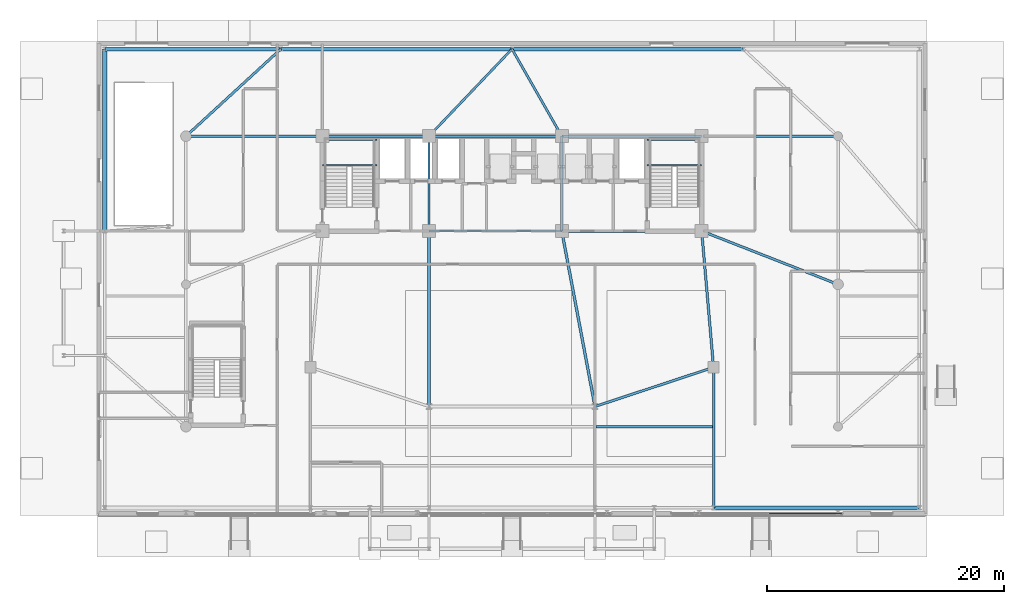
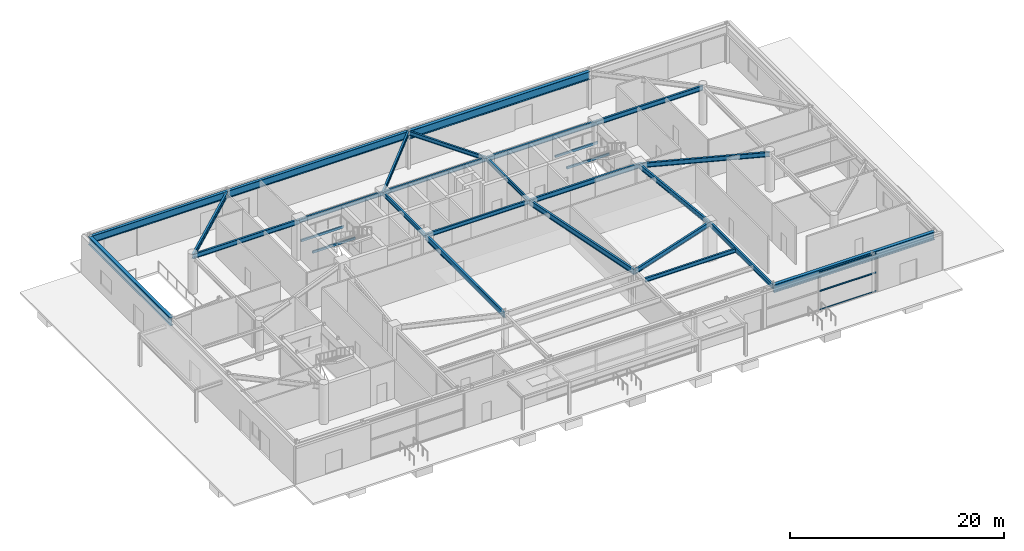
# One storey, part 16 of 29: 28 beams, 4 members, 2 elements without a shape of their own.
"""IFC4 building model written with IfcOpenShell, lengths in metres."""

from ifc_helpers import new_model, si_unit, direction, frame, origin, origin_2d, place, context, subcontext, project, spatial, hollow_rectangle, i_section, extrude, source, transform, mapped, material, layer, layer_set, material_profile, profile_set, type_object, element, aggregate, save


model = new_model("IFC4")

# Units and contexts
model_context = context("Model", 3, precision=1e-05, world=origin(), true_north=direction((0.0, 1.0)))
body_context = subcontext(model_context, "Body", "Model", "MODEL_VIEW")
ifc_project = project(units=[si_unit("LENGTHUNIT", "METRE"), si_unit("AREAUNIT", "SQUARE_METRE"), si_unit("VOLUMEUNIT", "CUBIC_METRE"), si_unit("PLANEANGLEUNIT", "RADIAN"), si_unit("MASSUNIT", "GRAM", prefix="KILO")], contexts=[model_context])

# Site, building, storey
site_placement = place(None, origin())
site = spatial("IfcSite", under=ifc_project, at=site_placement, CompositionType="ELEMENT")
building_placement = place(site_placement, origin())
building = spatial("IfcBuilding", under=site, at=building_placement, Name="Taldren Reach Tower", CompositionType="ELEMENT")
storey_placement = place(building_placement, origin())
storey = spatial("IfcBuildingStorey", under=building, at=storey_placement, Name="L00", CompositionType="ELEMENT", Elevation=0.0)

# Beams
ifc_material_1 = material(Name="Steel Gr 350 (350PLUS)", Category="steel")
ifc_material_profile_1 = material_profile(ifc_material_1, i_section(OverallWidth=0.19091796875, OverallDepth=0.4599609375, WebThickness=0.010009765625, FlangeThickness=0.01611328125, at=origin_2d()), Name="460UB82.1")
ifc_profile_set_1 = profile_set([ifc_material_profile_1], Name="Steel Gr 350 (350PLUS)")
beam_type_1 = type_object("IfcBeamType", Name="BM-UB460A", PredefinedType="BEAM", material=ifc_profile_set_1)
shared_shape_1 = source(origin(), body_context, "Body", "SweptSolid", [
    extrude(i_section(OverallWidth=0.19091796875, OverallDepth=0.4599609375, WebThickness=0.010009765625, FlangeThickness=0.01611328125, at=origin_2d()), origin(), (0.0, 0.0, 1.0), 9.0),
])
beam_1_placement = place(storey_placement, frame((19.0, 32.0, 4.06005859375), z_axis=(1.0, 0.0, 0.0), x_axis=(0.0, 1.0, 0.0)))
element("IfcBeam", 1, at=beam_1_placement, inside=storey, type_object=beam_type_1, Name="Core-spine girder L00-SP04", PredefinedType="BEAM", context=body_context, shape_type="MappedRepresentation", body=[
    mapped(shared_shape_1, transform((0.0, 0.0, 0.0), scale=1.0)),
])
shared_shape_2 = source(origin(), body_context, "Body", "SweptSolid", [
    extrude(i_section(OverallWidth=0.19091796875, OverallDepth=0.4599609375, WebThickness=0.010009765625, FlangeThickness=0.01611328125, at=origin_2d()), origin(), (0.0, 0.0, 1.0), 11.199951171875),
])
for number, where, z_axis, x_axis, name in (
    (2, (28.0, 24.0, 4.06005859375), (1.0, 0.0, 0.0), (0.0, 1.0, 0.0), "Core-spine girder L00-SP02"),
    (3, (28.0, 32.0, 4.06005859375), (1.0, 0.0, 0.0), (0.0, 1.0, 0.0), "Core-spine girder L00-SP05"),
):
    element("IfcBeam", number, at=place(storey_placement, frame(where, z_axis=z_axis, x_axis=x_axis)), inside=storey, type_object=beam_type_1, Name=name, PredefinedType="BEAM", context=body_context, shape_type="MappedRepresentation", body=[
        mapped(shared_shape_2, transform((0.0, 0.0, 0.0), scale=1.0)),
    ])
ifc_material_profile_2 = material_profile(ifc_material_1, i_section(OverallWidth=0.208984375, OverallDepth=0.532958984375, WebThickness=0.01025390625, FlangeThickness=0.015625, at=origin_2d()), Name="530UB92.4")
ifc_profile_set_2 = profile_set([ifc_material_profile_2], Name="Steel Gr 350 (350PLUS)")
beam_type_2 = type_object("IfcBeamType", Name="BM-UB530A", PredefinedType="BEAM", material=ifc_profile_set_2)
shared_shape_3 = source(origin(), body_context, "Body", "SweptSolid", [
    extrude(i_section(OverallWidth=0.208984375, OverallDepth=0.532958984375, WebThickness=0.01025390625, FlangeThickness=0.015625, at=origin_2d()), origin(), (0.0, 0.0, 1.0), 11.800048828125),
])
for number, where, z_axis, x_axis, name in (
    (4, (39.199951171875, 24.0, 4.0234375), (1.0, 0.0, 0.0), (0.0, 1.0, 0.0), "Core-spine girder L00-SP03"),
    (5, (39.199951171875, 32.0, 4.0234375), (1.0, 0.0, 0.0), (0.0, 1.0, 0.0), "Core-spine girder L00-SP06"),
):
    element("IfcBeam", number, at=place(storey_placement, frame(where, z_axis=z_axis, x_axis=x_axis)), inside=storey, type_object=beam_type_2, Name=name, PredefinedType="BEAM", context=body_context, shape_type="MappedRepresentation", body=[
        mapped(shared_shape_3, transform((0.0, 0.0, 0.0), scale=1.0)),
    ])
shared_shape_4 = source(origin(), body_context, "Body", "SweptSolid", [
    extrude(i_section(OverallWidth=0.19091796875, OverallDepth=0.4599609375, WebThickness=0.010009765625, FlangeThickness=0.01611328125, at=origin_2d()), origin(), (0.0, 0.0, 1.0), 8.0),
])
for number, where, z_axis, x_axis, name in (
    (6, (28.0, 24.0, 4.06005859375), (0.0, 1.0, 0.0), (-1.0, 0.0, 0.0), "Core-spine girder L00-SP07"),
    (7, (39.199951171875, 24.0, 4.06005859375), (0.0, 1.0, 0.0), (-1.0, 0.0, 0.0), "Core-spine girder L00-SP08"),
):
    element("IfcBeam", number, at=place(storey_placement, frame(where, z_axis=z_axis, x_axis=x_axis)), inside=storey, type_object=beam_type_1, Name=name, PredefinedType="BEAM", context=body_context, shape_type="MappedRepresentation", body=[
        mapped(shared_shape_4, transform((0.0, 0.0, 0.0), scale=1.0)),
    ])
shared_shape_5 = source(origin(), body_context, "Body", "SweptSolid", [
    extrude(i_section(OverallWidth=0.208984375, OverallDepth=0.532958984375, WebThickness=0.01025390625, FlangeThickness=0.015625, at=origin_2d()), origin(), (0.0, 0.0, 1.0), 11.54345703125),
])
beam_2_placement = place(storey_placement, frame((52.0, 12.5, 4.0234375), z_axis=(-0.086629616365, 0.996240588196, 0.0), x_axis=(-0.996240588196, -0.086629616365, 0.0)))
element("IfcBeam", 8, at=beam_2_placement, inside=storey, type_object=beam_type_2, Name="Core-spine girder L00-SP13", PredefinedType="BEAM", context=body_context, shape_type="MappedRepresentation", body=[
    mapped(shared_shape_5, transform((0.0, 0.0, 0.0), scale=1.0)),
])
shared_shape_6 = source(origin(), body_context, "Body", "SweptSolid", [
    extrude(i_section(OverallWidth=0.208984375, OverallDepth=0.532958984375, WebThickness=0.01025390625, FlangeThickness=0.015625, at=origin_2d()), origin(), (0.0, 0.0, 1.0), 10.530517578125),
])
beam_3_placement = place(storey_placement, frame((42.0, 9.199951171875, 4.0234375), z_axis=(0.949627269203, 0.313381635689, 0.0), x_axis=(-0.313381635689, 0.949627269203, 0.0)))
element("IfcBeam", 9, at=beam_3_placement, inside=storey, type_object=beam_type_2, Name="Core-spine girder L00-SP12", PredefinedType="BEAM", context=body_context, shape_type="MappedRepresentation", body=[
    mapped(shared_shape_6, transform((0.0, 0.0, 0.0), scale=1.0)),
])
ifc_material_profile_3 = material_profile(ifc_material_1, i_section(OverallWidth=0.22802734375, OverallDepth=0.60205078125, WebThickness=0.010498046875, FlangeThickness=0.014892578125, at=origin_2d()), Name="610UB101")
ifc_profile_set_3 = profile_set([ifc_material_profile_3], Name="Steel Gr 350 (350PLUS)")
beam_type_3 = type_object("IfcBeamType", Name="BM-UB610B", PredefinedType="BEAM", material=ifc_profile_set_3)
shared_shape_7 = source(origin(), body_context, "Body", "SweptSolid", [
    extrude(i_section(OverallWidth=0.22802734375, OverallDepth=0.60205078125, WebThickness=0.010498046875, FlangeThickness=0.014892578125, at=origin_2d()), origin(), (0.0, 0.0, 1.0), 14.800048828125),
])
beam_4_placement = place(storey_placement, frame((28.0, 24.0, 3.989013671875), z_axis=(0.0, -1.0, 0.0), x_axis=(1.0, 0.0, 0.0)))
element("IfcBeam", 10, at=beam_4_placement, inside=storey, type_object=beam_type_3, Name="Core-spine girder L00-SP14", PredefinedType="BEAM", context=body_context, shape_type="MappedRepresentation", body=[
    mapped(shared_shape_7, transform((0.0, 0.0, 0.0), scale=1.0)),
])
shared_shape_8 = source(origin(), body_context, "Body", "SweptSolid", [
    extrude(i_section(OverallWidth=0.22802734375, OverallDepth=0.60205078125, WebThickness=0.010498046875, FlangeThickness=0.014892578125, at=origin_2d()), origin(), (0.0, 0.0, 1.0), 15.0625),
])
beam_5_placement = place(storey_placement, frame((39.199951171875, 24.0, 3.989013671875), z_axis=(0.185894205668, -0.982569765614, 0.0), x_axis=(0.982569765614, 0.185894205668, 0.0)))
element("IfcBeam", 11, at=beam_5_placement, inside=storey, type_object=beam_type_3, Name="Core-spine girder L00-SP15", PredefinedType="BEAM", context=body_context, shape_type="MappedRepresentation", body=[
    mapped(shared_shape_8, transform((0.0, 0.0, 0.0), scale=1.0)),
])
ifc_material_profile_4 = material_profile(ifc_material_1, i_section(OverallWidth=0.35009765625, OverallDepth=0.916015625, WebThickness=0.013916015625, FlangeThickness=0.028076171875, at=origin_2d()), Name="900WB257")
ifc_profile_set_4 = profile_set([ifc_material_profile_4], Name="Steel Gr 350 (350PLUS)")
beam_type_4 = type_object("IfcBeamType", Name="BM-WB900", PredefinedType="BEAM", material=ifc_profile_set_4)
shared_shape_9 = source(origin(), body_context, "Body", "SweptSolid", [
    extrude(i_section(OverallWidth=0.35009765625, OverallDepth=0.916015625, WebThickness=0.013916015625, FlangeThickness=0.028076171875, at=origin_2d()), origin(), (0.0, 0.0, 1.0), 17.35009765625),
])
beam_6_placement = place(storey_placement, frame((52.0, 0.64990234375, 3.83203125), z_axis=(1.0, 0.0, 0.0), x_axis=(0.0, 1.0, 0.0)))
element("IfcBeam", 12, at=beam_6_placement, inside=storey, type_object=beam_type_4, Name="Podium girder L00-PD07", PredefinedType="BEAM", context=body_context, shape_type="MappedRepresentation", body=[
    mapped(shared_shape_9, transform((0.0, 0.0, 0.0), scale=1.0)),
])
shared_shape_10 = source(origin(), body_context, "Body", "SweptSolid", [
    extrude(i_section(OverallWidth=0.35009765625, OverallDepth=0.916015625, WebThickness=0.013916015625, FlangeThickness=0.028076171875, at=origin_2d()), origin(), (0.0, 0.0, 1.0), 19.5),
])
beam_7_placement = place(storey_placement, frame((35.0, 39.35009765625, 3.83203125), z_axis=(1.0, 0.0, 0.0), x_axis=(0.0, 1.0, 0.0)))
element("IfcBeam", 13, at=beam_7_placement, inside=storey, type_object=beam_type_4, Name="Podium girder L00-PD10", PredefinedType="BEAM", context=body_context, shape_type="MappedRepresentation", body=[
    mapped(shared_shape_10, transform((0.0, 0.0, 0.0), scale=1.0)),
])
shared_shape_11 = source(origin(), body_context, "Body", "SweptSolid", [
    extrude(i_section(OverallWidth=0.35009765625, OverallDepth=0.916015625, WebThickness=0.013916015625, FlangeThickness=0.028076171875, at=origin_2d()), origin(), (0.0, 0.0, 1.0), 15.35009765625),
])
beam_8_placement = place(storey_placement, frame((0.64990234375, 24.0, 3.83203125), z_axis=(0.0, 1.0, 0.0), x_axis=(-1.0, 0.0, 0.0)))
element("IfcBeam", 14, at=beam_8_placement, inside=storey, type_object=beam_type_4, Name="Podium girder L00-PD14", PredefinedType="BEAM", context=body_context, shape_type="MappedRepresentation", body=[
    mapped(shared_shape_11, transform((0.0, 0.0, 0.0), scale=1.0)),
])
shared_shape_12 = source(origin(), body_context, "Body", "SweptSolid", [
    extrude(i_section(OverallWidth=0.208984375, OverallDepth=0.532958984375, WebThickness=0.01025390625, FlangeThickness=0.015625, at=origin_2d()), origin(), (0.0, 0.0, 1.0), 10.86376953125),
])
beam_9_placement = place(storey_placement, frame((7.5, 32.0, 4.0234375), z_axis=(0.736385012576, 0.676562719379, 0.0), x_axis=(-0.676562719379, 0.736385012576, 0.0)))
element("IfcBeam", 15, at=beam_9_placement, inside=storey, type_object=beam_type_2, Name="Podium beam L00-PD21", PredefinedType="BEAM", context=body_context, shape_type="MappedRepresentation", body=[
    mapped(shared_shape_12, transform((0.0, 0.0, 0.0), scale=1.0)),
])
shared_shape_13 = source(origin(), body_context, "Body", "SweptSolid", [
    extrude(i_section(OverallWidth=0.208984375, OverallDepth=0.532958984375, WebThickness=0.01025390625, FlangeThickness=0.015625, at=origin_2d()), origin(), (0.0, 0.0, 1.0), 11.85009765625),
])
beam_10_placement = place(storey_placement, frame((52.0, 0.64990234375, 4.0234375), z_axis=(0.0, 1.0, 0.0), x_axis=(-1.0, 0.0, 0.0)))
element("IfcBeam", 16, at=beam_10_placement, inside=storey, type_object=beam_type_2, Name="Podium beam L00-PD25", PredefinedType="BEAM", context=body_context, shape_type="MappedRepresentation", body=[
    mapped(shared_shape_13, transform((0.0, 0.0, 0.0), scale=1.0)),
])
shared_shape_14 = source(origin(), body_context, "Body", "SweptSolid", [
    extrude(i_section(OverallWidth=0.208984375, OverallDepth=0.532958984375, WebThickness=0.01025390625, FlangeThickness=0.015625, at=origin_2d()), origin(), (0.0, 0.0, 1.0), 12.34912109375),
])
beam_11_placement = place(storey_placement, frame((51.0, 24.0, 4.0234375), z_axis=(0.931242779706, -0.364399348581, 0.0), x_axis=(0.364399348581, 0.931242779706, 0.0)))
element("IfcBeam", 17, at=beam_11_placement, inside=storey, type_object=beam_type_2, Name="Podium beam L00-PD32", PredefinedType="BEAM", context=body_context, shape_type="MappedRepresentation", body=[
    mapped(shared_shape_14, transform((0.0, 0.0, 0.0), scale=1.0)),
])
shared_shape_15 = source(origin(), body_context, "Body", "SweptSolid", [
    extrude(i_section(OverallWidth=0.208984375, OverallDepth=0.532958984375, WebThickness=0.01025390625, FlangeThickness=0.015625, at=origin_2d()), origin(), (0.0, 0.0, 1.0), 11.5),
])
for number, where, z_axis, x_axis, name in (
    (18, (7.5, 32.0, 4.0234375), (1.0, 0.0, 0.0), (0.0, 1.0, 0.0), "Podium beam L00-PD31"),
    (19, (51.0, 32.0, 4.0234375), (1.0, 0.0, 0.0), (0.0, 1.0, 0.0), "Podium beam L00-PD33"),
):
    element("IfcBeam", number, at=place(storey_placement, frame(where, z_axis=z_axis, x_axis=x_axis)), inside=storey, type_object=beam_type_2, Name=name, PredefinedType="BEAM", context=body_context, shape_type="MappedRepresentation", body=[
        mapped(shared_shape_15, transform((0.0, 0.0, 0.0), scale=1.0)),
    ])
shared_shape_16 = source(origin(), body_context, "Body", "SweptSolid", [
    extrude(i_section(OverallWidth=0.19091796875, OverallDepth=0.4599609375, WebThickness=0.010009765625, FlangeThickness=0.01611328125, at=origin_2d()), origin(), (0.0, 0.0, 1.0), 10.150146484375),
])
beam_12_placement = place(storey_placement, frame((28.0, 32.0, 4.06005859375), z_axis=(0.6896503675, 0.724142507113, 0.0), x_axis=(-0.724142507113, 0.6896503675, 0.0)))
element("IfcBeam", 20, at=beam_12_placement, inside=storey, type_object=beam_type_1, Name="Podium beam L00-PD34", PredefinedType="BEAM", context=body_context, shape_type="MappedRepresentation", body=[
    mapped(shared_shape_16, transform((0.0, 0.0, 0.0), scale=1.0)),
])
shared_shape_17 = source(origin(), body_context, "Body", "SweptSolid", [
    extrude(i_section(OverallWidth=0.19091796875, OverallDepth=0.4599609375, WebThickness=0.010009765625, FlangeThickness=0.01611328125, at=origin_2d()), origin(), (0.0, 0.0, 1.0), 8.46533203125),
])
beam_13_placement = place(storey_placement, frame((39.199951171875, 32.0, 4.06005859375), z_axis=(-0.496129620882, 0.86824846633, 0.0), x_axis=(-0.86824846633, -0.496129620882, 0.0)))
element("IfcBeam", 21, at=beam_13_placement, inside=storey, type_object=beam_type_1, Name="Podium beam L00-PD35", PredefinedType="BEAM", context=body_context, shape_type="MappedRepresentation", body=[
    mapped(shared_shape_17, transform((0.0, 0.0, 0.0), scale=1.0)),
])
shared_shape_18 = source(origin(), body_context, "Body", "SweptSolid", [
    extrude(i_section(OverallWidth=0.19091796875, OverallDepth=0.4599609375, WebThickness=0.010009765625, FlangeThickness=0.01611328125, at=origin_2d()), origin(), (0.0, 0.0, 1.0), 9.791015625),
])
beam_14_placement = place(storey_placement, frame((42.1044921875, 7.5, 4.06005859375), z_axis=(1.0, 0.0, 0.0), x_axis=(0.0, 1.0, 0.0)))
element("IfcBeam", 22, at=beam_14_placement, inside=storey, type_object=beam_type_1, Name="Podium composite floor beam L00-2.3", PredefinedType="BEAM", context=body_context, shape_type="MappedRepresentation", body=[
    mapped(shared_shape_18, transform((0.0, 0.0, 0.0), scale=1.0)),
])
ifc_material_profile_5 = material_profile(ifc_material_1, i_section(OverallWidth=0.300048828125, OverallDepth=0.81591796875, WebThickness=0.011962890625, FlangeThickness=0.02392578125, at=origin_2d()), Name="800WB192")
ifc_profile_set_5 = profile_set([ifc_material_profile_5], Name="Steel Gr 350 (350PLUS)")
beam_type_5 = type_object("IfcBeamType", Name="BM-WB800", PredefinedType="BEAM", material=ifc_profile_set_5)
shared_shape_19 = source(origin(), body_context, "Body", "SweptSolid", [
    extrude(i_section(OverallWidth=0.300048828125, OverallDepth=0.81591796875, WebThickness=0.011962890625, FlangeThickness=0.02392578125, at=origin_2d()), origin(), (0.0, 0.0, 1.0), 14.85009765625),
])
beam_15_placement = place(storey_placement, frame((0.64990234375, 39.35009765625, 3.882080078125), z_axis=(1.0, 0.0, 0.0), x_axis=(0.0, 1.0, 0.0)))
element("IfcBeam", 23, at=beam_15_placement, inside=storey, type_object=beam_type_5, Name="Podium girder L00-PD08", PredefinedType="BEAM", context=body_context, shape_type="MappedRepresentation", body=[
    mapped(shared_shape_19, transform((0.0, 0.0, 0.0), scale=1.0)),
])
shared_shape_20 = source(origin(), body_context, "Body", "SweptSolid", [
    extrude(i_section(OverallWidth=0.300048828125, OverallDepth=0.81591796875, WebThickness=0.011962890625, FlangeThickness=0.02392578125, at=origin_2d()), origin(), (0.0, 0.0, 1.0), 19.5),
])
beam_16_placement = place(storey_placement, frame((15.5, 39.35009765625, 3.882080078125), z_axis=(1.0, 0.0, 0.0), x_axis=(0.0, 1.0, 0.0)))
element("IfcBeam", 24, at=beam_16_placement, inside=storey, type_object=beam_type_5, Name="Podium girder L00-PD09", PredefinedType="BEAM", context=body_context, shape_type="MappedRepresentation", body=[
    mapped(shared_shape_20, transform((0.0, 0.0, 0.0), scale=1.0)),
])

# Curtain wall, members
ifc_material_2 = material(Name="Aluminium and Low-E Glass Unitised System", Category="aluminium")
ifc_layer = layer(ifc_material_2, 0.159912109375)
ifc_layer_set = layer_set([ifc_layer], Name="Aluminium and Low-E Glass Unitised System")
curtain_wall_type = type_object("IfcCurtainWallType", Name="CW-SYS-1", PredefinedType="NOTDEFINED", material=ifc_layer_set)
curtain_wall_1_placement = place(storey_placement, origin())
curtain_wall_1 = element("IfcCurtainWall", 25, at=curtain_wall_1_placement, inside=storey, type_object=curtain_wall_type, Name="Unitised curtain wall CW1-L00-S3", PredefinedType="NOTDEFINED")
ifc_material_3 = material(Name="Anodised Aluminium 6063-T6", Category="aluminium")
ifc_material_profile_6 = material_profile(ifc_material_3, hollow_rectangle(XDim=0.06005859375, YDim=0.135009765625, WallThickness=0.00341796875, at=origin_2d()), Name="ALU-135x60x3.5RHS")
ifc_profile_set_6 = profile_set([ifc_material_profile_6], Name="Anodised Aluminium 6063-T6")
member_type = type_object("IfcMemberType", Name="CW-TRN-150", PredefinedType="USERDEFINED", material=ifc_profile_set_6)
shared_shape_21 = source(origin(), body_context, "Body", "SweptSolid", [
    extrude(hollow_rectangle(XDim=0.06005859375, YDim=0.135009765625, WallThickness=0.00341796875, at=origin_2d()), origin(), (0.0, 0.0, 1.0), 6.14501953125),
])
member_1_placement = place(storey_placement, frame((56.68505859375, 0.169921875, 0.030029296875), z_axis=(1.0, 0.0, 0.0), x_axis=(0.0, 1.0, 0.0)))
member_1 = element("IfcMember", 26, at=member_1_placement, type_object=member_type, Name="CW-1 transom 2.1", ObjectType="TRANSOM", PredefinedType="USERDEFINED", context=body_context, shape_type="MappedRepresentation", body=[
    mapped(shared_shape_21, transform((0.0, 0.0, 0.0), scale=1.0)),
])
member_2_placement = place(storey_placement, frame((56.68505859375, 0.169921875, 2.114990234375), z_axis=(1.0, 0.0, 0.0), x_axis=(0.0, 1.0, 0.0)))
member_2 = element("IfcMember", 27, at=member_2_placement, type_object=member_type, Name="CW-1 transom 2.2", ObjectType="TRANSOM", PredefinedType="USERDEFINED", context=body_context, shape_type="MappedRepresentation", body=[
    mapped(shared_shape_21, transform((0.0, 0.0, 0.0), scale=1.0)),
])
aggregate(curtain_wall_1, [member_1, member_2])

curtain_wall_2_placement = place(storey_placement, origin())
curtain_wall_2 = element("IfcCurtainWall", 28, at=curtain_wall_2_placement, inside=storey, type_object=curtain_wall_type, Name="Unitised curtain wall CW1-L00-S3-T2", PredefinedType="NOTDEFINED")
member_3_placement = place(storey_placement, frame((56.68505859375, 0.169921875, 2.175048828125), z_axis=(1.0, 0.0, 0.0), x_axis=(0.0, 1.0, 0.0)))
member_3 = element("IfcMember", 29, at=member_3_placement, type_object=member_type, Name="CW-1 transom 2.1", ObjectType="TRANSOM", PredefinedType="USERDEFINED", context=body_context, shape_type="MappedRepresentation", body=[
    mapped(shared_shape_21, transform((0.0, 0.0, 0.0), scale=1.0)),
])
member_4_placement = place(storey_placement, frame((56.68505859375, 0.169921875, 4.260009765625), z_axis=(1.0, 0.0, 0.0), x_axis=(0.0, 1.0, 0.0)))
member_4 = element("IfcMember", 30, at=member_4_placement, type_object=member_type, Name="CW-1 transom 2.2", ObjectType="TRANSOM", PredefinedType="USERDEFINED", context=body_context, shape_type="MappedRepresentation", body=[
    mapped(shared_shape_21, transform((0.0, 0.0, 0.0), scale=1.0)),
])
aggregate(curtain_wall_2, [member_3, member_4])

# Beams
ifc_material_4 = material(Name="Steel Gr 350 (C350L0)", Category="steel")
ifc_material_profile_7 = material_profile(ifc_material_4, hollow_rectangle(XDim=0.14990234375, YDim=0.25, WallThickness=0.009033203125, at=origin_2d()), Name="250x150x9.0RHS")
ifc_profile_set_7 = profile_set([ifc_material_profile_7], Name="Steel Gr 350 (C350L0)")
beam_type_6 = type_object("IfcBeamType", Name="LN-RHS250", PredefinedType="LINTEL", material=ifc_profile_set_7)
shared_shape_22 = source(origin(), body_context, "Body", "SweptSolid", [
    extrude(hollow_rectangle(XDim=0.14990234375, YDim=0.25, WallThickness=0.009033203125, at=origin_2d()), origin(), (0.0, 0.0, 1.0), 4.60009765625),
])
for number, where, z_axis, x_axis, name in (
    (31, (19.0, 29.550048828125, 1.969970703125), (1.0, 0.0, 0.0), (0.0, 1.0, 0.0), "Stair half-landing support beam ST1-L00-1"),
    (32, (19.0, 31.699951171875, 1.969970703125), (1.0, 0.0, 0.0), (0.0, 1.0, 0.0), "Stair half-landing support beam ST1-L00-2"),
    (33, (46.39990234375, 29.550048828125, 1.969970703125), (1.0, 0.0, 0.0), (0.0, 1.0, 0.0), "Stair half-landing support beam ST2-L00-1"),
    (34, (46.39990234375, 31.699951171875, 1.969970703125), (1.0, 0.0, 0.0), (0.0, 1.0, 0.0), "Stair half-landing support beam ST2-L00-2"),
):
    element("IfcBeam", number, at=place(storey_placement, frame(where, z_axis=z_axis, x_axis=x_axis)), inside=storey, type_object=beam_type_6, Name=name, PredefinedType="LINTEL", context=body_context, shape_type="MappedRepresentation", body=[
        mapped(shared_shape_22, transform((0.0, 0.0, 0.0), scale=1.0)),
    ])

save(model, "model.ifc")
